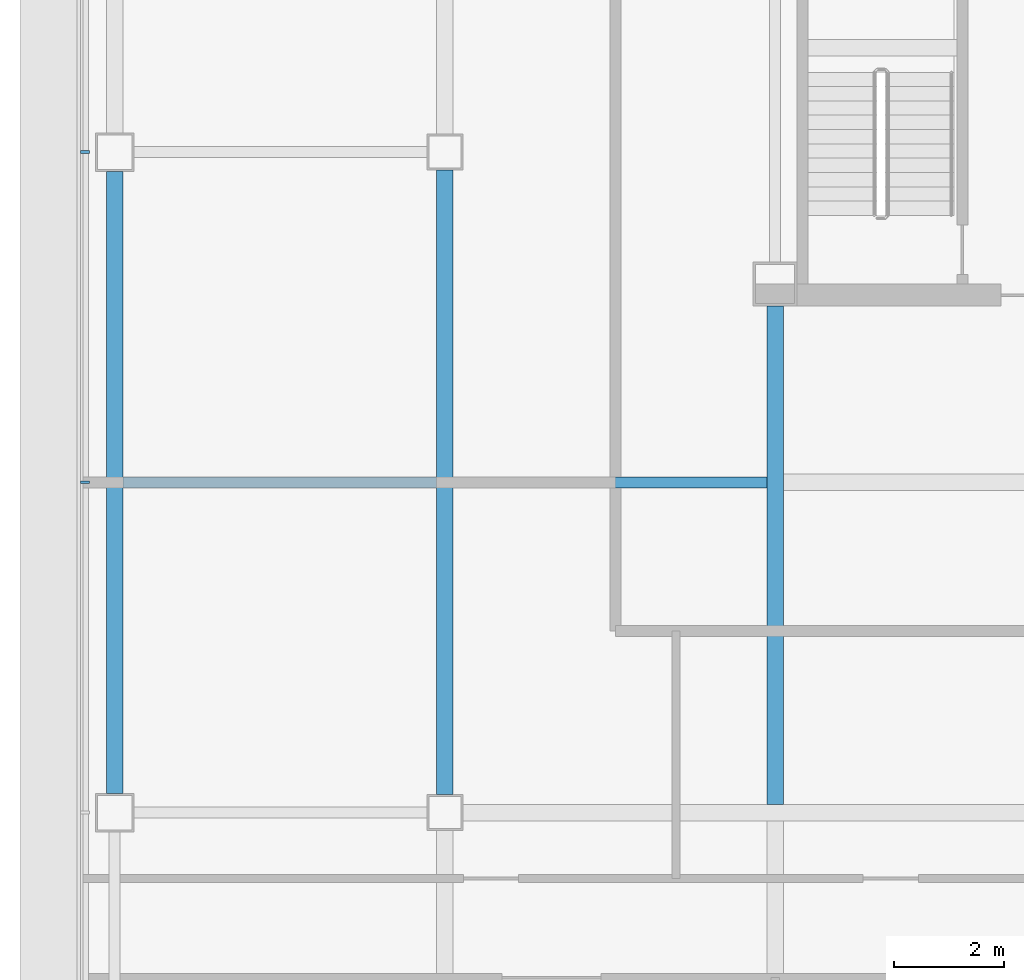
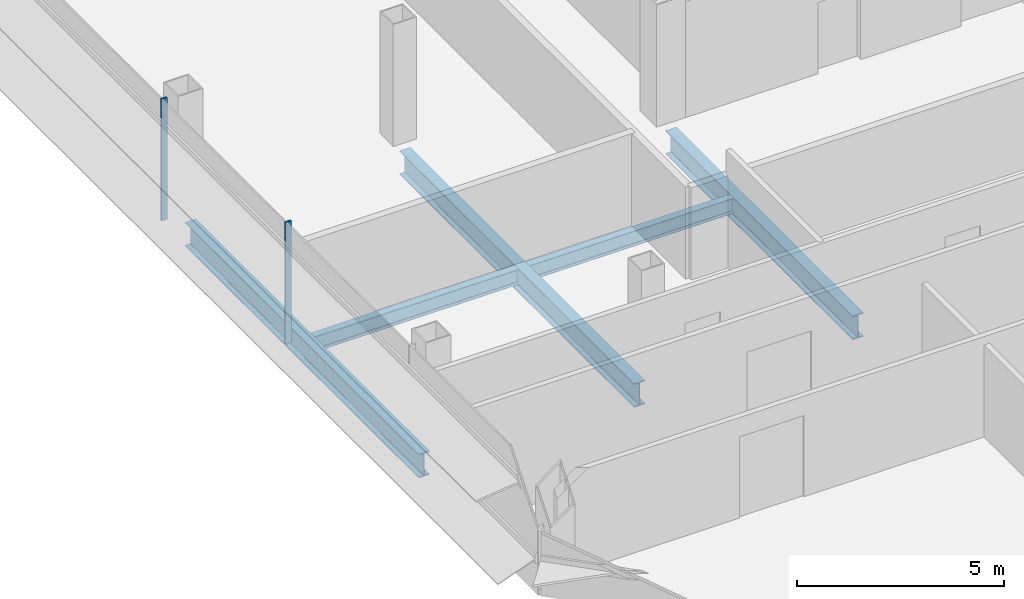
# One storey, part 4 of 24: 5 beams, 2 members, 1 element without a shape of its own.
"""IFC4 building model written with IfcOpenShell, lengths in metres."""

from ifc_helpers import new_model, si_unit, direction, frame, origin, origin_2d, place, context, subcontext, project, spatial, rectangle, i_section, extrude, material, material_profile, profile_set, type_object, element, aggregate, save


model = new_model("IFC4")

# Units and contexts
model_context = context("Model", 3, precision=1e-05, world=origin(), true_north=direction((0.0, 1.0)))
body_context = subcontext(model_context, "Body", "Model", "MODEL_VIEW")
ifc_project = project(units=[si_unit("LENGTHUNIT", "METRE"), si_unit("AREAUNIT", "SQUARE_METRE"), si_unit("VOLUMEUNIT", "CUBIC_METRE"), si_unit("PLANEANGLEUNIT", "RADIAN"), si_unit("MASSUNIT", "GRAM", prefix="KILO")], contexts=[model_context])

# Site, building, storey
site_placement = place(None, origin())
site = spatial("IfcSite", under=ifc_project, at=site_placement, CompositionType="ELEMENT")
building_placement = place(site_placement, origin())
building = spatial("IfcBuilding", under=site, at=building_placement, Name="Sorahane Residences", CompositionType="ELEMENT")
storey_placement = place(building_placement, frame((0.0, 0.0, 174.39990234375)))
storey = spatial("IfcBuildingStorey", under=building, at=storey_placement, Name="L40", CompositionType="ELEMENT", Elevation=174.39990234375)

# Curtain wall, members
ifc_material_1 = material(Name="Dark low-e glass and black anodised aluminium", Category="aluminium")
curtain_wall_type = type_object("IfcCurtainWallType", Name="Curtain wall CW-1 Typical unitised wall", PredefinedType="NOTDEFINED", material=ifc_material_1)
curtain_wall_placement = place(storey_placement, origin())
curtain_wall = element("IfcCurtainWall", 1, at=curtain_wall_placement, inside=storey, type_object=curtain_wall_type, Name="CW-1 curtain wall L40 W1", PredefinedType="NOTDEFINED")
ifc_material_2 = material(Name="Black anodised aluminium", Category="aluminium")
ifc_material_profile_1 = material_profile(ifc_material_2, rectangle(XDim=0.159912109375, YDim=0.050048828125, at=origin_2d()), Name="Curtain wall mullion CW-1 black anodised aluminium 50x160")
ifc_profile_set_1 = profile_set([ifc_material_profile_1], Name="Black anodised aluminium")
member_type = type_object("IfcMemberType", Name="Curtain wall mullion CW-1 black anodised aluminium 50x160", PredefinedType="MULLION", material=ifc_profile_set_1)
member_1_placement = place(storey_placement, frame((-6.5400390625, 24.0, -0.179931640625), z_axis=(0.0, 0.0, 1.0), x_axis=(-1.0, 0.0, 0.0)))
member_1 = element("IfcMember", 2, at=member_1_placement, type_object=member_type, Name="CW-1 mullion L40 W1.4", PredefinedType="MULLION", context=body_context, shape_type="SweptSolid", body=[
    extrude(rectangle(XDim=0.159912109375, YDim=0.050048828125, at=origin_2d()), origin(), (0.0, 0.0, 1.0), 3.60009765625),
])
member_2_placement = place(storey_placement, frame((-6.5400390625, 18.0, -0.179931640625), z_axis=(0.0, 0.0, 1.0), x_axis=(-1.0, 0.0, 0.0)))
member_2 = element("IfcMember", 3, at=member_2_placement, type_object=member_type, Name="CW-1 mullion L40 W1.5", PredefinedType="MULLION", context=body_context, shape_type="SweptSolid", body=[
    extrude(rectangle(XDim=0.159912109375, YDim=0.050048828125, at=origin_2d()), origin(), (0.0, 0.0, 1.0), 3.60009765625),
])
aggregate(curtain_wall, [member_1, member_2])

# Beams
ifc_material_3 = material(Name="Steel Q355B", Category="steel")
ifc_material_profile_2 = material_profile(ifc_material_3, i_section(OverallWidth=0.199951171875, OverallDepth=0.449951171875, WebThickness=0.009033203125, FlangeThickness=0.013916015625, FilletRadius=0.02001953125, at=origin_2d()), Name="HN 450x200x9x14")
ifc_profile_set_2 = profile_set([ifc_material_profile_2], Name="Steel Q355B")
beam_type_1 = type_object("IfcBeamType", Name="Steel floor beam HN 450x200x9x14 Q355B", PredefinedType="BEAM", material=ifc_profile_set_2)
for number, where, z_axis, x_axis, name in (
    (4, (-5.85009765625, 18.0, -0.40478515625), (1.0, 0.0, 0.0), (0.0, 1.0, 0.0), "Beam L40 078"),
    (5, (0.14990234375, 18.0, -0.40478515625), (1.0, 0.0, 0.0), (0.0, 1.0, 0.0), "Beam L40 079"),
):
    element("IfcBeam", number, at=place(storey_placement, frame(where, z_axis=z_axis, x_axis=x_axis)), inside=storey, type_object=beam_type_1, Name=name, PredefinedType="BEAM", context=body_context, shape_type="SweptSolid", body=[
        extrude(i_section(OverallWidth=0.199951171875, OverallDepth=0.449951171875, WebThickness=0.009033203125, FlangeThickness=0.013916015625, FilletRadius=0.02001953125, at=origin_2d()), origin(), (0.0, 0.0, 1.0), 5.7001953125),
    ])
ifc_material_4 = material(Name="Steel Q355B", Category="steel")
ifc_material_profile_3 = material_profile(ifc_material_4, i_section(OverallWidth=0.300048828125, OverallDepth=0.699951171875, WebThickness=0.012939453125, FlangeThickness=0.02392578125, FilletRadius=0.028076171875, at=origin_2d()), Name="HN 700x300x13x24")
ifc_profile_set_3 = profile_set([ifc_material_profile_3], Name="Steel Q355B")
beam_type_2 = type_object("IfcBeamType", Name="Steel floor beam HN 700x300x13x24 Q355B", PredefinedType="BEAM", material=ifc_profile_set_3)
beam_1_placement = place(storey_placement, frame((-6.0, 12.35009765625, -0.52978515625), z_axis=(0.0, 1.0, 0.0), x_axis=(-1.0, 0.0, 0.0)))
element("IfcBeam", 6, at=beam_1_placement, inside=storey, type_object=beam_type_2, Name="Beam L40 021", PredefinedType="BEAM", context=body_context, shape_type="SweptSolid", body=[
    extrude(i_section(OverallWidth=0.300048828125, OverallDepth=0.699951171875, WebThickness=0.012939453125, FlangeThickness=0.02392578125, FilletRadius=0.028076171875, at=origin_2d()), origin(), (0.0, 0.0, 1.0), 11.2998046875),
])
beam_2_placement = place(storey_placement, frame((0.0, 12.324951171875, -0.52978515625), z_axis=(0.0, 1.0, 0.0), x_axis=(-1.0, 0.0, 0.0)))
element("IfcBeam", 7, at=beam_2_placement, inside=storey, type_object=beam_type_2, Name="Beam L40 025", PredefinedType="BEAM", context=body_context, shape_type="SweptSolid", body=[
    extrude(i_section(OverallWidth=0.300048828125, OverallDepth=0.699951171875, WebThickness=0.012939453125, FlangeThickness=0.02392578125, FilletRadius=0.028076171875, at=origin_2d()), origin(), (0.0, 0.0, 1.0), 11.35009765625),
])
beam_3_placement = place(storey_placement, frame((6.0, 12.14990234375, -0.52978515625), z_axis=(0.0, 1.0, 0.0), x_axis=(-1.0, 0.0, 0.0)))
element("IfcBeam", 8, at=beam_3_placement, inside=storey, type_object=beam_type_2, Name="Beam L40 029", PredefinedType="BEAM", context=body_context, shape_type="SweptSolid", body=[
    extrude(i_section(OverallWidth=0.300048828125, OverallDepth=0.699951171875, WebThickness=0.012939453125, FlangeThickness=0.02392578125, FilletRadius=0.028076171875, at=origin_2d()), origin(), (0.0, 0.0, 1.0), 9.050048828125),
])

save(model, "model.ifc")
